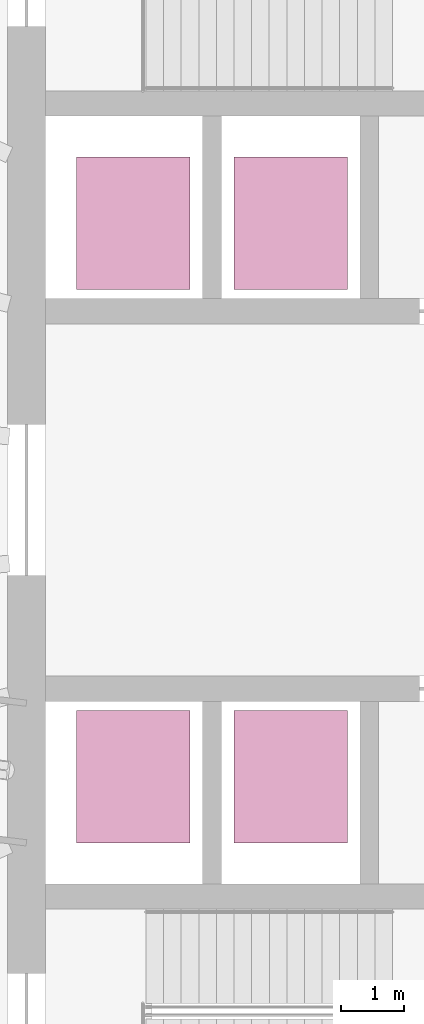
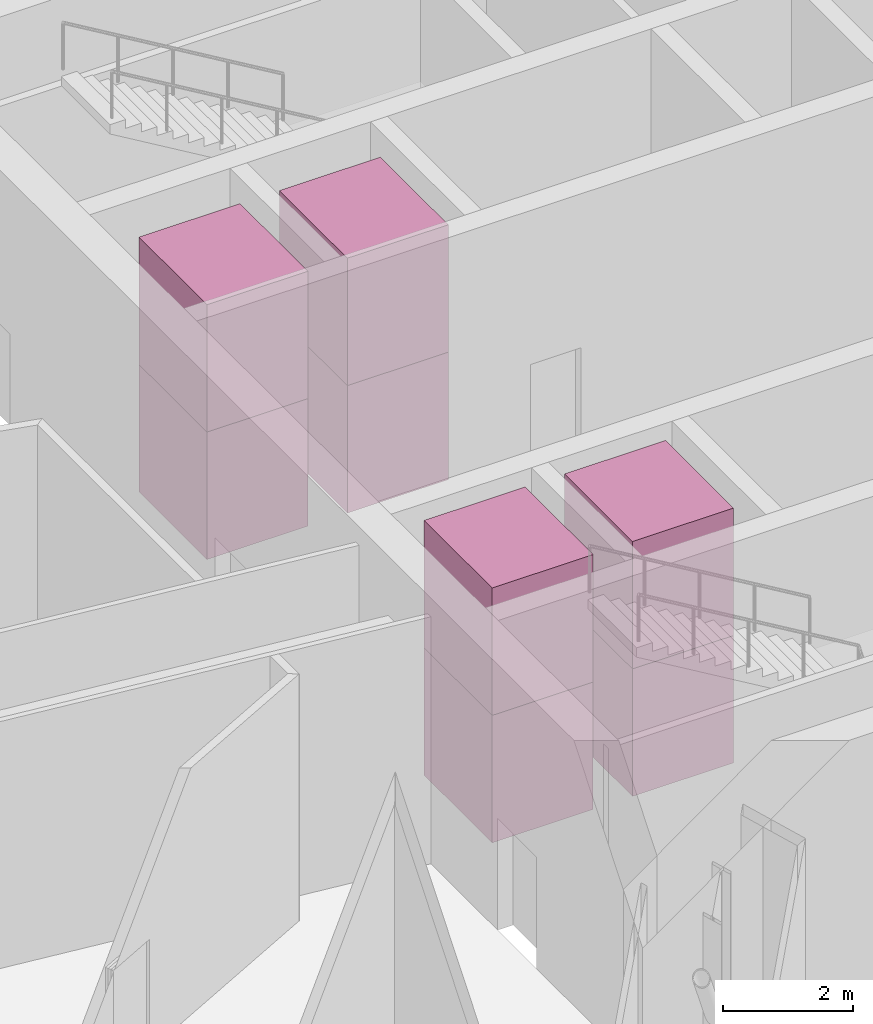
# One storey, part 20 of 20: 8 transport elements.
"""IFC4 building model written with IfcOpenShell, lengths in metres."""

from ifc_helpers import new_model, si_unit, direction, frame, origin, origin_2d, place, context, subcontext, project, spatial, rectangle, extrude, material, type_object, element, save


model = new_model("IFC4")

# Units and contexts
model_context = context("Model", 3, precision=1e-05, world=origin(), true_north=direction((0.0, 1.0)))
body_context = subcontext(model_context, "Body", "Model", "MODEL_VIEW")
ifc_project = project(units=[si_unit("LENGTHUNIT", "METRE"), si_unit("AREAUNIT", "SQUARE_METRE"), si_unit("VOLUMEUNIT", "CUBIC_METRE"), si_unit("PLANEANGLEUNIT", "RADIAN"), si_unit("MASSUNIT", "GRAM", prefix="KILO")], contexts=[model_context])

# Site, building, storey
site_placement = place(None, origin())
site = spatial("IfcSite", under=ifc_project, at=site_placement, CompositionType="ELEMENT")
building_placement = place(site_placement, origin())
building = spatial("IfcBuilding", under=site, at=building_placement, Name="Halqa Exchange Tower", CompositionType="ELEMENT")
storey_placement = place(building_placement, frame((0.0, 0.0, 328.300048828125)))
storey = spatial("IfcBuildingStorey", under=building, at=storey_placement, Name="L77", CompositionType="ELEMENT", Elevation=328.300048828125)

# Transport elements
ifc_material = material(Name="Stainless steel", Category="steel")
transport_element_type = type_object("IfcTransportElementType", Name="High-rise passenger lift 1800 x 2100", PredefinedType="ELEVATOR", material=ifc_material)
for number, where, z_axis, x_axis, name in (
    (1, (-10.0, 4.39990234375, 0.0), (0.0, 0.0, 1.0), (1.0, 0.0, 0.0), "High-rise passenger lift HR1"),
    (2, (-10.0, 4.39990234375, 2.39990234375), (0.0, 0.0, 1.0), (1.0, 0.0, 0.0), "High-rise passenger lift HR1"),
    (3, (-7.5, 4.39990234375, 0.0), (0.0, 0.0, 1.0), (1.0, 0.0, 0.0), "High-rise passenger lift HR2"),
    (4, (-7.5, 4.39990234375, 2.39990234375), (0.0, 0.0, 1.0), (1.0, 0.0, 0.0), "High-rise passenger lift HR2"),
    (5, (-10.0, -4.39990234375, 0.0), (0.0, 0.0, 1.0), (1.0, 0.0, 0.0), "High-rise passenger lift HR3"),
    (6, (-10.0, -4.39990234375, 2.39990234375), (0.0, 0.0, 1.0), (1.0, 0.0, 0.0), "High-rise passenger lift HR3"),
    (7, (-7.5, -4.39990234375, 0.0), (0.0, 0.0, 1.0), (1.0, 0.0, 0.0), "High-rise passenger lift HR4"),
    (8, (-7.5, -4.39990234375, 2.39990234375), (0.0, 0.0, 1.0), (1.0, 0.0, 0.0), "High-rise passenger lift HR4"),
):
    element("IfcTransportElement", number, at=place(storey_placement, frame(where, z_axis=z_axis, x_axis=x_axis)), inside=storey, type_object=transport_element_type, Name=name, PredefinedType="ELEVATOR", context=body_context, shape_type="SweptSolid", body=[
        extrude(rectangle(XDim=1.800048828125, YDim=2.10009765625, at=origin_2d()), origin(), (0.0, 0.0, 1.0), 2.39990234375),
    ])

save(model, "model.ifc")
